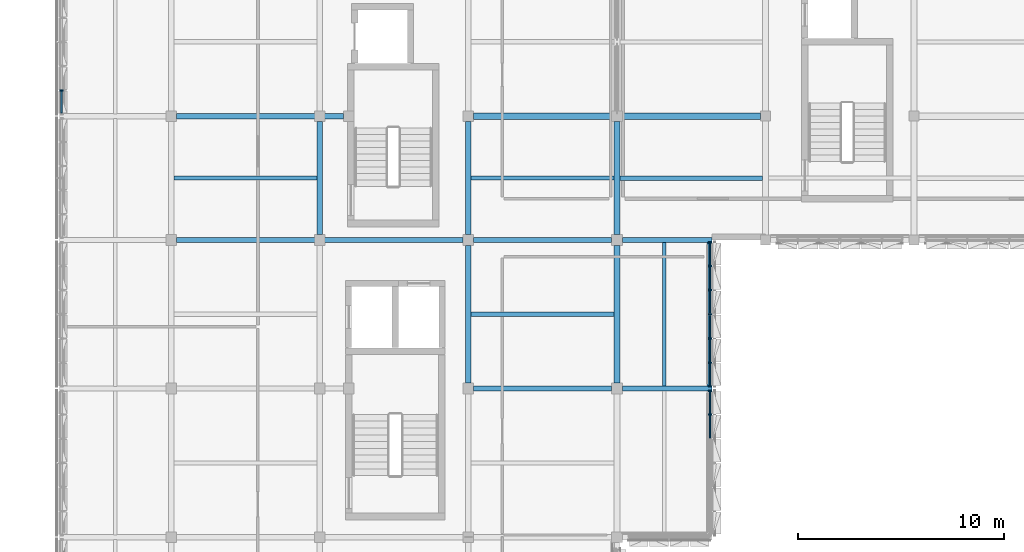
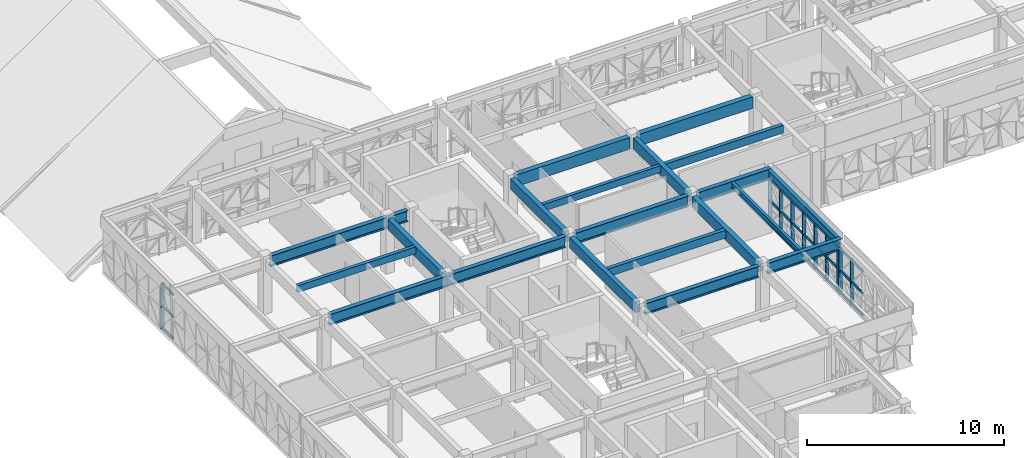
# One storey, part 7 of 48: 37 members, 19 beams, 3 elements without a shape of their own.
"""IFC4 building model written with IfcOpenShell, lengths in metres."""

import ifcopenshell
import ifcopenshell.guid

model = None  # the IFC model being written
_history = None  # IfcOwnerHistory: only IFC2X3 demands one
_inside = {}  # id of a spatial element -> (the spatial element, [elements in it])
_under = {}  # id of a project, library or spatial element -> (it, [spatial elements below it])
_declared = {}  # id of a project -> (the project, [libraries it declares])
_typed = {}  # id of a type object -> (the type object, [elements of that type])
_made_of = {}  # id of a material, layer set ... -> (it, [elements and type objects made of it])


def new_model(schema):
    """Start an empty IFC model of exactly this schema.

    Asked for "IFC4X3", IfcOpenShell would pick the latest addendum, in which some entities
    have other attributes; the version numbers below select the first issue.
    IFC2X3 requires an IfcOwnerHistory on every rooted entity: one is made here for all.
    """
    global model, _history
    if schema == "IFC4X3":
        model = ifcopenshell.file(schema_version=(4, 3, 0, 0))
    else:
        model = ifcopenshell.file(schema=schema)
    _inside.clear()
    _under.clear()
    _declared.clear()
    _typed.clear()
    _made_of.clear()
    _history = None
    if model.schema == "IFC2X3":
        org = make("IfcOrganization", Name="unknown")
        user = make(
            "IfcPersonAndOrganization",
            ThePerson=make("IfcPerson", FamilyName="unknown"),
            TheOrganization=org,
        )
        app = make(
            "IfcApplication",
            ApplicationDeveloper=org,
            Version="unknown",
            ApplicationFullName="unknown",
            ApplicationIdentifier="unknown",
        )
        _history = make(
            "IfcOwnerHistory",
            OwningUser=user,
            OwningApplication=app,
            ChangeAction="ADDED",
            CreationDate=0,
        )
    return model


def make(cls, **values):
    """One entity of the class cls with the attributes given. An attribute that is None is left unset."""
    return model.create_entity(
        cls, **{name: value for name, value in values.items() if value is not None}
    )


def rooted(cls, **values):
    """An entity with a GlobalId (a new one), such as an element, a storey or a relation."""
    return make(cls, GlobalId=ifcopenshell.guid.new(), OwnerHistory=_history, **values)


def si_unit(unit_type, name, prefix=None):
    """IfcSIUnit, for example si_unit("LENGTHUNIT", "METRE", prefix="MILLI")."""
    return make("IfcSIUnit", UnitType=unit_type, Prefix=prefix, Name=name)


def assignment(units):
    """IfcUnitAssignment: the units of a project."""
    return None if units is None else make("IfcUnitAssignment", Units=units)


def point(xyz):
    """IfcCartesianPoint."""
    return None if xyz is None else make("IfcCartesianPoint", Coordinates=xyz)


def direction(xyz):
    """IfcDirection."""
    return None if xyz is None else make("IfcDirection", DirectionRatios=xyz)


def frame(location, z_axis=None, x_axis=None):
    """IfcAxis2Placement3D, a coordinate frame: its origin and axes. An axis left out is left unset."""
    return make(
        "IfcAxis2Placement3D",
        Location=point(location),
        Axis=direction(z_axis),
        RefDirection=direction(x_axis),
    )


def frame_2d(location, x_axis=None):
    """IfcAxis2Placement2D, a coordinate frame in the plane: its origin and x axis."""
    return make(
        "IfcAxis2Placement2D", Location=point(location), RefDirection=direction(x_axis)
    )


def origin():
    """The frame at (0, 0, 0) with its axes left unset."""
    return frame((0.0, 0.0, 0.0))


def origin_2d():
    """The frame at (0, 0) in the plane with its x axis left unset."""
    return frame_2d((0.0, 0.0))


def place(relative_to, where):
    """IfcLocalPlacement: puts the frame where relative to a parent placement (None: the world)."""
    return make(
        "IfcLocalPlacement", PlacementRelTo=relative_to, RelativePlacement=where
    )


def context(
    kind, dimensions, precision=None, world=None, true_north=None, identifier=None
):
    """IfcGeometricRepresentationContext, for example the 3D "Model" context."""
    return make(
        "IfcGeometricRepresentationContext",
        ContextIdentifier=identifier,
        ContextType=kind,
        CoordinateSpaceDimension=dimensions,
        Precision=precision,
        WorldCoordinateSystem=world,
        TrueNorth=true_north,
    )


def subcontext(parent, identifier, kind, view, scale=None):
    """IfcGeometricRepresentationSubContext, for example "Body" below "Model"."""
    return make(
        "IfcGeometricRepresentationSubContext",
        ContextIdentifier=identifier,
        ContextType=kind,
        ParentContext=parent,
        TargetScale=scale,
        TargetView=view,
    )


def project(units=None, contexts=None):
    """IfcProject with its units and contexts."""
    return rooted(
        "IfcProject",
        Name="project",
        RepresentationContexts=contexts,
        UnitsInContext=assignment(units),
    )


def spatial(cls, under=None, at=None, **own):
    """A site, building, storey or space (cls), placed at a placement, below another one or the project."""
    s = rooted(cls, ObjectPlacement=at, **own)
    if under is not None:
        _under.setdefault(under.id(), (under, []))[1].append(s)
    return s


def profile(cls, at=None, kind="AREA", **sizes):
    """A parametric profile (cls). Its sizes go by their IFC names, for example OverallWidth=200.0."""
    return make(cls, ProfileType=kind, Position=at, **sizes)


def rectangle(**sizes):
    """IfcRectangleProfileDef."""
    return profile("IfcRectangleProfileDef", **sizes)


def i_section(**sizes):
    """IfcIShapeProfileDef."""
    return profile("IfcIShapeProfileDef", **sizes)


def extrude(swept, where, along, depth):
    """IfcExtrudedAreaSolid: the profile swept, set in the frame where, extruded along a direction by depth."""
    return make(
        "IfcExtrudedAreaSolid",
        SweptArea=swept,
        Position=where,
        ExtrudedDirection=direction(along),
        Depth=depth,
    )


def shape(context_of_items, identifier, shape_type, items):
    """IfcShapeRepresentation: the items that make up one representation, for example the "Body"."""
    return make(
        "IfcShapeRepresentation",
        ContextOfItems=context_of_items,
        RepresentationIdentifier=identifier,
        RepresentationType=shape_type,
        Items=items,
    )


def material(Name=None, Category=None):
    """IfcMaterial."""
    return make("IfcMaterial", Name=Name, Category=Category)


def material_profile(
    of_material, cross_section, Name=None, Category=None, Priority=None
):
    """IfcMaterialProfile: a cross section and its material."""
    return make(
        "IfcMaterialProfile",
        Name=Name,
        Material=of_material,
        Profile=cross_section,
        Priority=Priority,
        Category=Category,
    )


def profile_set(profiles, Name=None, composite=None):
    """IfcMaterialProfileSet."""
    return make(
        "IfcMaterialProfileSet",
        Name=Name,
        MaterialProfiles=profiles,
        CompositeProfile=composite,
    )


def made_of(thing, what):
    """Note that an element or type object is made of a material, layer set ...; save() writes the relation."""
    if what is not None:
        _made_of.setdefault(what.id(), (what, []))[1].append(thing)
    return thing


def type_object(cls, material=None, **own):
    """A type object (cls), such as IfcWallType, which elements share."""
    return made_of(rooted(cls, **own), material)


def element(
    cls,
    number,
    at=None,
    inside=None,
    cuts=None,
    type_object=None,
    material=None,
    context=None,
    identifier="Body",
    shape_type=None,
    held_by="IfcProductDefinitionShape",
    body=None,
    shapes=None,
    **own,
):
    """One element of the class cls, such as IfcWall. Its Tag is "e" and its number.

    at: its placement. inside: the storey or other place that contains it. cuts: it is an
    opening in that element (IfcRelVoidsElement). A single representation is given by context,
    identifier, shape_type and body (its items); several are given by shapes. held_by: the class
    of the entity that holds the representations. save() writes the other relations.
    """
    e = rooted(cls, Tag="e%d" % number, ObjectPlacement=at, **own)
    if body is not None:
        shapes = [shape(context, identifier, shape_type, body)]
    if shapes is not None:
        e.Representation = make(held_by, Representations=shapes)
    if inside is not None:
        _inside.setdefault(inside.id(), (inside, []))[1].append(e)
    if cuts is not None:
        rooted(
            "IfcRelVoidsElement", RelatingBuildingElement=cuts, RelatedOpeningElement=e
        )
    if type_object is not None:
        _typed.setdefault(type_object.id(), (type_object, []))[1].append(e)
    return made_of(e, material)


def aggregate(whole, parts):
    """IfcRelAggregates: a whole, such as a stair, and the parts it consists of."""
    return rooted("IfcRelAggregates", RelatingObject=whole, RelatedObjects=parts)


def save(model, path):
    """Write the relations noted so far, then the file.

    IfcRelAggregates (storeys below a building ...), IfcRelContainedInSpatialStructure (elements
    in a storey), IfcRelDefinesByType, IfcRelAssociatesMaterial and IfcRelDeclares: one each for
    every whole, place, type object, material and project.
    """
    for whole, parts in _under.values():
        aggregate(whole, parts)
    for where, things in _inside.values():
        rooted(
            "IfcRelContainedInSpatialStructure",
            RelatedElements=things,
            RelatingStructure=where,
        )
    for kind, things in _typed.values():
        rooted("IfcRelDefinesByType", RelatedObjects=things, RelatingType=kind)
    for what, things in _made_of.values():
        rooted("IfcRelAssociatesMaterial", RelatedObjects=things, RelatingMaterial=what)
    for by, libraries in _declared.values():
        rooted("IfcRelDeclares", RelatingContext=by, RelatedDefinitions=libraries)
    model.write(path)


model = new_model("IFC4")

# Units and contexts
model_context = context("Model", 3, precision=1e-05, world=origin(), true_north=direction((0.0, 1.0)))
body_context = subcontext(model_context, "Body", "Model", "MODEL_VIEW")
ifc_project = project(units=[si_unit("LENGTHUNIT", "METRE"), si_unit("AREAUNIT", "SQUARE_METRE"), si_unit("VOLUMEUNIT", "CUBIC_METRE"), si_unit("PLANEANGLEUNIT", "RADIAN"), si_unit("MASSUNIT", "GRAM", prefix="KILO")], contexts=[model_context])

# Site, building, storey
site_placement = place(None, origin())
site = spatial("IfcSite", under=ifc_project, at=site_placement, CompositionType="ELEMENT")
building_placement = place(site_placement, origin())
building = spatial("IfcBuilding", under=site, at=building_placement, Name="Alvorim Cloister Faculty of Sciences", CompositionType="ELEMENT")
storey_placement = place(building_placement, frame((0.0, 0.0, 19.35009765625)))
storey = spatial("IfcBuildingStorey", under=building, at=storey_placement, Name="L05", CompositionType="ELEMENT", Elevation=19.35009765625)

# Beams
ifc_material_1 = material(Name="Glulam GL28h", Category="wood")
ifc_material_profile_1 = material_profile(ifc_material_1, rectangle(XDim=0.280029296875, YDim=0.659912109375, at=origin_2d()), Name="GL28-BM-280x660")
ifc_profile_set_1 = profile_set([ifc_material_profile_1], Name="Glulam GL28h")
beam_type_1 = type_object("IfcBeamType", Name="BM-GL-280x660", PredefinedType="BEAM", material=ifc_profile_set_1)
beam_1_placement = place(storey_placement, frame((14.39990234375, 43.4599609375, 3.059814453125), z_axis=(0.0, 1.0, 0.0), x_axis=(-1.0, 0.0, 0.0)))
element("IfcBeam", 1, at=beam_1_placement, inside=storey, type_object=beam_type_1, Name="L05 Primary Girder BM-1992", PredefinedType="BEAM", context=body_context, shape_type="SweptSolid", body=[
    extrude(rectangle(XDim=0.280029296875, YDim=0.659912109375, at=origin_2d()), origin(), (0.0, 0.0, 1.0), 5.47998046875),
])
beam_2_placement = place(storey_placement, frame((21.60009765625, 36.260009765625, 3.059814453125), z_axis=(0.0, 1.0, 0.0), x_axis=(-1.0, 0.0, 0.0)))
element("IfcBeam", 2, at=beam_2_placement, inside=storey, type_object=beam_type_1, Name="L05 Primary Girder BM-1998", PredefinedType="BEAM", context=body_context, shape_type="SweptSolid", body=[
    extrude(rectangle(XDim=0.280029296875, YDim=0.659912109375, at=origin_2d()), origin(), (0.0, 0.0, 1.0), 6.679931640625),
])
beam_3_placement = place(storey_placement, frame((21.60009765625, 43.4599609375, 3.059814453125), z_axis=(0.0, 1.0, 0.0), x_axis=(-1.0, 0.0, 0.0)))
element("IfcBeam", 3, at=beam_3_placement, inside=storey, type_object=beam_type_1, Name="L05 Primary Girder BM-1999", PredefinedType="BEAM", context=body_context, shape_type="SweptSolid", body=[
    extrude(rectangle(XDim=0.280029296875, YDim=0.659912109375, at=origin_2d()), origin(), (0.0, 0.0, 1.0), 5.47998046875),
])
beam_4_placement = place(storey_placement, frame((28.800048828125, 36.260009765625, 3.059814453125), z_axis=(0.0, 1.0, 0.0), x_axis=(-1.0, 0.0, 0.0)))
element("IfcBeam", 4, at=beam_4_placement, inside=storey, type_object=beam_type_1, Name="L05 Primary Girder BM-2005", PredefinedType="BEAM", context=body_context, shape_type="SweptSolid", body=[
    extrude(rectangle(XDim=0.280029296875, YDim=0.659912109375, at=origin_2d()), origin(), (0.0, 0.0, 1.0), 6.679931640625),
])
beam_5_placement = place(storey_placement, frame((28.800048828125, 43.4599609375, 3.059814453125), z_axis=(0.0, 1.0, 0.0), x_axis=(-1.0, 0.0, 0.0)))
element("IfcBeam", 5, at=beam_5_placement, inside=storey, type_object=beam_type_1, Name="L05 Primary Girder BM-2006", PredefinedType="BEAM", context=body_context, shape_type="SweptSolid", body=[
    extrude(rectangle(XDim=0.280029296875, YDim=0.659912109375, at=origin_2d()), origin(), (0.0, 0.0, 1.0), 5.47998046875),
])
ifc_material_2 = material(Name="Glulam GL32h", Category="wood")
ifc_material_profile_2 = material_profile(ifc_material_2, rectangle(XDim=0.300048828125, YDim=0.719970703125, at=origin_2d()), Name="GL32-BM-300x720")
ifc_profile_set_2 = profile_set([ifc_material_profile_2], Name="Glulam GL32h")
beam_type_2 = type_object("IfcBeamType", Name="BM-GL-300x720", PredefinedType="BEAM", material=ifc_profile_set_2)
beam_6_placement = place(storey_placement, frame((21.860107421875, 49.199951171875, 3.02978515625), z_axis=(1.0, 0.0, 0.0), x_axis=(0.0, 1.0, 0.0)))
element("IfcBeam", 6, at=beam_6_placement, inside=storey, type_object=beam_type_2, Name="L05 Primary Beam BM-1971", PredefinedType="BEAM", context=body_context, shape_type="SweptSolid", body=[
    extrude(rectangle(XDim=0.300048828125, YDim=0.719970703125, at=origin_2d()), origin(), (0.0, 0.0, 1.0), 6.679931640625),
])
beam_7_placement = place(storey_placement, frame((29.06005859375, 49.199951171875, 3.02978515625), z_axis=(1.0, 0.0, 0.0), x_axis=(0.0, 1.0, 0.0)))
element("IfcBeam", 7, at=beam_7_placement, inside=storey, type_object=beam_type_2, Name="L05 Primary Beam BM-1972", PredefinedType="BEAM", context=body_context, shape_type="SweptSolid", body=[
    extrude(rectangle(XDim=0.300048828125, YDim=0.719970703125, at=origin_2d()), origin(), (0.0, 0.0, 1.0), 6.699951171875),
])
ifc_material_profile_3 = material_profile(ifc_material_1, rectangle(XDim=0.199951171875, YDim=0.419921875, at=origin_2d()), Name="GL28-JST-200x420")
ifc_profile_set_3 = profile_set([ifc_material_profile_3], Name="Glulam GL28h")
beam_type_3 = type_object("IfcBeamType", Name="BM-JST-GL-200x420", PredefinedType="JOIST", material=ifc_profile_set_3)
for number, where, z_axis, x_axis, name in (
    (8, (7.340087890625, 46.199951171875, 3.179931640625), (1.0, 0.0, 0.0), (0.0, 1.0, 0.0), "L05 Secondary Floor Joist BM-2021"),
    (9, (21.739990234375, 46.199951171875, 3.179931640625), (1.0, 0.0, 0.0), (0.0, 1.0, 0.0), "L05 Secondary Floor Joist BM-2029"),
):
    element("IfcBeam", number, at=place(storey_placement, frame(where, z_axis=z_axis, x_axis=x_axis)), inside=storey, type_object=beam_type_3, Name=name, PredefinedType="JOIST", context=body_context, shape_type="SweptSolid", body=[
        extrude(rectangle(XDim=0.199951171875, YDim=0.419921875, at=origin_2d()), origin(), (0.0, 0.0, 1.0), 6.919921875),
    ])
ifc_material_profile_4 = material_profile(ifc_material_1, rectangle(XDim=0.219970703125, YDim=0.47998046875, at=origin_2d()), Name="GL28-JST-220x480")
ifc_profile_set_4 = profile_set([ifc_material_profile_4], Name="Glulam GL28h")
beam_type_4 = type_object("IfcBeamType", Name="BM-JST-GL-220x480", PredefinedType="JOIST", material=ifc_profile_set_4)
beam_8_placement = place(storey_placement, frame((21.739990234375, 39.60009765625, 3.14990234375), z_axis=(1.0, 0.0, 0.0), x_axis=(0.0, 1.0, 0.0)))
element("IfcBeam", 10, at=beam_8_placement, inside=storey, type_object=beam_type_4, Name="L05 Secondary Floor Joist BM-2028", PredefinedType="JOIST", context=body_context, shape_type="SweptSolid", body=[
    extrude(rectangle(XDim=0.219970703125, YDim=0.47998046875, at=origin_2d()), origin(), (0.0, 0.0, 1.0), 6.919921875),
])
beam_9_placement = place(storey_placement, frame((28.93994140625, 46.199951171875, 3.14990234375), z_axis=(1.0, 0.0, 0.0), x_axis=(0.0, 1.0, 0.0)))
element("IfcBeam", 11, at=beam_9_placement, inside=storey, type_object=beam_type_4, Name="L05 Secondary Floor Joist BM-2031", PredefinedType="JOIST", context=body_context, shape_type="SweptSolid", body=[
    extrude(rectangle(XDim=0.219970703125, YDim=0.47998046875, at=origin_2d()), origin(), (0.0, 0.0, 1.0), 6.920166015625),
])
ifc_material_3 = material(Name="Steel ASTM A572 Grade 50", Category="steel")
ifc_material_profile_5 = material_profile(ifc_material_3, i_section(OverallWidth=0.1708984375, OverallDepth=0.35498046875, WebThickness=0.007080078125, FlangeThickness=0.01171875, FilletRadius=0.012939453125, at=origin_2d()), Name="W360x51.0")
ifc_profile_set_5 = profile_set([ifc_material_profile_5], Name="Steel ASTM A572 Grade 50")
beam_type_5 = type_object("IfcBeamType", Name="BM-STL-W360", PredefinedType="JOIST", material=ifc_profile_set_5)
beam_10_placement = place(storey_placement, frame((31.10009765625, 36.110107421875, 3.21240234375), z_axis=(0.0, 1.0, 0.0), x_axis=(-1.0, 0.0, 0.0)))
element("IfcBeam", 12, at=beam_10_placement, inside=storey, type_object=beam_type_5, Name="L05 Cantilever Deck Joist BM-0150", PredefinedType="JOIST", context=body_context, shape_type="SweptSolid", body=[
    extrude(i_section(OverallWidth=0.1708984375, OverallDepth=0.35498046875, WebThickness=0.007080078125, FlangeThickness=0.01171875, FilletRadius=0.012939453125, at=origin_2d()), origin(), (0.0, 0.0, 1.0), 6.97998046875),
])
ifc_material_profile_6 = material_profile(ifc_material_3, i_section(OverallWidth=0.208984375, OverallDepth=0.532958984375, WebThickness=0.01025390625, FlangeThickness=0.015625, FilletRadius=0.01611328125, at=origin_2d()), Name="W530x92.0")
ifc_profile_set_6 = profile_set([ifc_material_profile_6], Name="Steel ASTM A572 Grade 50")
beam_type_6 = type_object("IfcBeamType", Name="BM-STL-W530", PredefinedType="BEAM", material=ifc_profile_set_6)
beam_11_placement = place(storey_placement, frame((33.280029296875, 36.110107421875, 3.123291015625), z_axis=(0.0, 1.0, 0.0), x_axis=(-1.0, 0.0, 0.0)))
element("IfcBeam", 13, at=beam_11_placement, inside=storey, type_object=beam_type_6, Name="L05 Cantilever Tip Header Girder BM-0149", PredefinedType="BEAM", context=body_context, shape_type="SweptSolid", body=[
    extrude(i_section(OverallWidth=0.208984375, OverallDepth=0.532958984375, WebThickness=0.01025390625, FlangeThickness=0.015625, FilletRadius=0.01611328125, at=origin_2d()), origin(), (0.0, 0.0, 1.0), 6.97998046875),
])
ifc_material_profile_7 = material_profile(ifc_material_3, i_section(OverallWidth=0.25390625, OverallDepth=0.68408203125, WebThickness=0.012451171875, FlangeThickness=0.01904296875, FilletRadius=0.01904296875, at=origin_2d()), Name="W690x140.0")
ifc_profile_set_7 = profile_set([ifc_material_profile_7], Name="Steel ASTM A572 Grade 50")
beam_type_7 = type_object("IfcBeamType", Name="BM-STL-W690", PredefinedType="BEAM", material=ifc_profile_set_7)
beam_12_placement = place(storey_placement, frame((7.4599609375, 43.199951171875, 3.0478515625), z_axis=(1.0, 0.0, 0.0), x_axis=(0.0, 1.0, 0.0)))
element("IfcBeam", 14, at=beam_12_placement, inside=storey, type_object=beam_type_7, Name="L05 Cantilever Backspan Girder BM-0111", PredefinedType="BEAM", context=body_context, shape_type="SweptSolid", body=[
    extrude(i_section(OverallWidth=0.25390625, OverallDepth=0.68408203125, WebThickness=0.012451171875, FlangeThickness=0.01904296875, FilletRadius=0.01904296875, at=origin_2d()), origin(), (0.0, 0.0, 1.0), 13.880126953125),
])
beam_13_placement = place(storey_placement, frame((7.4599609375, 49.199951171875, 3.0478515625), z_axis=(1.0, 0.0, 0.0), x_axis=(0.0, 1.0, 0.0)))
element("IfcBeam", 15, at=beam_13_placement, inside=storey, type_object=beam_type_7, Name="L05 Cantilever Backspan Girder BM-0113", PredefinedType="BEAM", context=body_context, shape_type="SweptSolid", body=[
    extrude(i_section(OverallWidth=0.25390625, OverallDepth=0.68408203125, WebThickness=0.012451171875, FlangeThickness=0.01904296875, FilletRadius=0.01904296875, at=origin_2d()), origin(), (0.0, 0.0, 1.0), 8.080078125),
])
beam_14_placement = place(storey_placement, frame((21.860107421875, 36.0, 3.0478515625), z_axis=(1.0, 0.0, 0.0), x_axis=(0.0, 1.0, 0.0)))
element("IfcBeam", 16, at=beam_14_placement, inside=storey, type_object=beam_type_7, Name="L05 Cantilever Backspan Girder BM-0143", PredefinedType="BEAM", context=body_context, shape_type="SweptSolid", body=[
    extrude(i_section(OverallWidth=0.25390625, OverallDepth=0.68408203125, WebThickness=0.012451171875, FlangeThickness=0.01904296875, FilletRadius=0.01904296875, at=origin_2d()), origin(), (0.0, 0.0, 1.0), 6.679931640625),
])
beam_15_placement = place(storey_placement, frame((29.06005859375, 36.0, 3.0478515625), z_axis=(1.0, 0.0, 0.0), x_axis=(0.0, 1.0, 0.0)))
element("IfcBeam", 17, at=beam_15_placement, inside=storey, type_object=beam_type_7, Name="L05 Cantilever Overhang Girder BM-0144", PredefinedType="BEAM", context=body_context, shape_type="SweptSolid", body=[
    extrude(i_section(OverallWidth=0.25390625, OverallDepth=0.68408203125, WebThickness=0.012451171875, FlangeThickness=0.01904296875, FilletRadius=0.01904296875, at=origin_2d()), origin(), (0.0, 0.0, 1.0), 4.33984375),
])
beam_16_placement = place(storey_placement, frame((21.860107421875, 43.199951171875, 3.0478515625), z_axis=(1.0, 0.0, 0.0), x_axis=(0.0, 1.0, 0.0)))
element("IfcBeam", 18, at=beam_16_placement, inside=storey, type_object=beam_type_7, Name="L05 Cantilever Backspan Girder BM-0145", PredefinedType="BEAM", context=body_context, shape_type="SweptSolid", body=[
    extrude(i_section(OverallWidth=0.25390625, OverallDepth=0.68408203125, WebThickness=0.012451171875, FlangeThickness=0.01904296875, FilletRadius=0.01904296875, at=origin_2d()), origin(), (0.0, 0.0, 1.0), 6.679931640625),
])
beam_17_placement = place(storey_placement, frame((29.06005859375, 43.199951171875, 3.0478515625), z_axis=(1.0, 0.0, 0.0), x_axis=(0.0, 1.0, 0.0)))
element("IfcBeam", 19, at=beam_17_placement, inside=storey, type_object=beam_type_7, Name="L05 Cantilever Overhang Girder BM-0146", PredefinedType="BEAM", context=body_context, shape_type="SweptSolid", body=[
    extrude(i_section(OverallWidth=0.25390625, OverallDepth=0.68408203125, WebThickness=0.012451171875, FlangeThickness=0.01904296875, FilletRadius=0.01904296875, at=origin_2d()), origin(), (0.0, 0.0, 1.0), 4.33984375),
])

# Curtain wall, member
ifc_material_4 = material(Name="Aluminium and Low-E Glass Curtain Wall", Category="aluminium")
curtain_wall_type = type_object("IfcCurtainWallType", Name="CW-TRI-7040x2857", PredefinedType="USERDEFINED", material=ifc_material_4)
curtain_wall_1_placement = place(storey_placement, origin())
curtain_wall_1 = element("IfcCurtainWall", 20, at=curtain_wall_1_placement, inside=storey, type_object=curtain_wall_type, Name="L05 Diagonal Cassette Curtain Wall CW-0218", ObjectType="UNITISED CURTAIN WALL", PredefinedType="USERDEFINED")
ifc_material_5 = material(Name="Aluminium Alloy 6063-T6", Category="aluminium")
ifc_material_profile_8 = material_profile(ifc_material_5, rectangle(XDim=0.06494140625, YDim=0.179931640625, at=origin_2d()), Name="ALU-MUL-65x180")
ifc_profile_set_8 = profile_set([ifc_material_profile_8], Name="Aluminium Alloy 6063-T6")
member_type_1 = type_object("IfcMemberType", Name="CW-MUL-65x180", PredefinedType="MULLION", material=ifc_profile_set_8)
member_1_placement = place(storey_placement, frame((1.889892578125, 50.453369140625, 0.0), z_axis=(0.0, 0.0, 1.0), x_axis=(0.0, 1.0, 0.0)))
member_1 = element("IfcMember", 21, at=member_1_placement, type_object=member_type_1, Name="CW-0218 Mullion 2", PredefinedType="MULLION", context=body_context, shape_type="SweptSolid", body=[
    extrude(rectangle(XDim=0.06494140625, YDim=0.179931640625, at=origin_2d()), origin(), (0.0, 0.0, 1.0), 2.85693359375),
])

# Curtain wall, members
curtain_wall_2_placement = place(storey_placement, origin())
curtain_wall_2 = element("IfcCurtainWall", 22, at=curtain_wall_2_placement, inside=storey, type_object=curtain_wall_type, Name="L05 Diagonal Cassette Curtain Wall CW-0232", ObjectType="UNITISED CURTAIN WALL", PredefinedType="USERDEFINED")
member_2_placement = place(storey_placement, frame((33.31005859375, 36.112548828125, 0.0), z_axis=(0.0, 0.0, 1.0), x_axis=(0.0, 1.0, 0.0)))
member_2 = element("IfcMember", 23, at=member_2_placement, type_object=member_type_1, Name="CW-0232 Mullion 1", PredefinedType="MULLION", context=body_context, shape_type="SweptSolid", body=[
    extrude(rectangle(XDim=0.06494140625, YDim=0.179931640625, at=origin_2d()), origin(), (0.0, 0.0, 1.0), 2.85693359375),
])
member_3_placement = place(storey_placement, frame((33.31005859375, 37.25341796875, 0.0), z_axis=(0.0, 0.0, 1.0), x_axis=(0.0, 1.0, 0.0)))
member_3 = element("IfcMember", 24, at=member_3_placement, type_object=member_type_1, Name="CW-0232 Mullion 2", PredefinedType="MULLION", context=body_context, shape_type="SweptSolid", body=[
    extrude(rectangle(XDim=0.06494140625, YDim=0.179931640625, at=origin_2d()), origin(), (0.0, 0.0, 1.0), 2.85693359375),
])
member_4_placement = place(storey_placement, frame((33.31005859375, 38.4267578125, 0.0), z_axis=(0.0, 0.0, 1.0), x_axis=(0.0, 1.0, 0.0)))
member_4 = element("IfcMember", 25, at=member_4_placement, type_object=member_type_1, Name="CW-0232 Mullion 3", PredefinedType="MULLION", context=body_context, shape_type="SweptSolid", body=[
    extrude(rectangle(XDim=0.06494140625, YDim=0.179931640625, at=origin_2d()), origin(), (0.0, 0.0, 1.0), 2.85693359375),
])
member_5_placement = place(storey_placement, frame((33.31005859375, 39.60009765625, 0.0), z_axis=(0.0, 0.0, 1.0), x_axis=(0.0, 1.0, 0.0)))
member_5 = element("IfcMember", 26, at=member_5_placement, type_object=member_type_1, Name="CW-0232 Mullion 4", PredefinedType="MULLION", context=body_context, shape_type="SweptSolid", body=[
    extrude(rectangle(XDim=0.06494140625, YDim=0.179931640625, at=origin_2d()), origin(), (0.0, 0.0, 1.0), 2.85693359375),
])
member_6_placement = place(storey_placement, frame((33.31005859375, 40.773193359375, 0.0), z_axis=(0.0, 0.0, 1.0), x_axis=(0.0, 1.0, 0.0)))
member_6 = element("IfcMember", 27, at=member_6_placement, type_object=member_type_1, Name="CW-0232 Mullion 5", PredefinedType="MULLION", context=body_context, shape_type="SweptSolid", body=[
    extrude(rectangle(XDim=0.06494140625, YDim=0.179931640625, at=origin_2d()), origin(), (0.0, 0.0, 1.0), 2.85693359375),
])
member_7_placement = place(storey_placement, frame((33.31005859375, 41.94677734375, 0.0), z_axis=(0.0, 0.0, 1.0), x_axis=(0.0, 1.0, 0.0)))
member_7 = element("IfcMember", 28, at=member_7_placement, type_object=member_type_1, Name="CW-0232 Mullion 6", PredefinedType="MULLION", context=body_context, shape_type="SweptSolid", body=[
    extrude(rectangle(XDim=0.06494140625, YDim=0.179931640625, at=origin_2d()), origin(), (0.0, 0.0, 1.0), 2.85693359375),
])
member_8_placement = place(storey_placement, frame((33.31005859375, 43.08740234375, 0.0), z_axis=(0.0, 0.0, 1.0), x_axis=(0.0, 1.0, 0.0)))
member_8 = element("IfcMember", 29, at=member_8_placement, type_object=member_type_1, Name="CW-0232 Mullion 7", PredefinedType="MULLION", context=body_context, shape_type="SweptSolid", body=[
    extrude(rectangle(XDim=0.06494140625, YDim=0.179931640625, at=origin_2d()), origin(), (0.0, 0.0, 1.0), 2.85693359375),
])

curtain_wall_3_placement = place(storey_placement, origin())
curtain_wall_3 = element("IfcCurtainWall", 30, at=curtain_wall_3_placement, inside=storey, type_object=curtain_wall_type, Name="L05 Diagonal Cassette Curtain Wall CW-0233", ObjectType="UNITISED CURTAIN WALL", PredefinedType="USERDEFINED")
member_9_placement = place(storey_placement, frame((33.31005859375, 34.74658203125, 0.0), z_axis=(0.0, 0.0, 1.0), x_axis=(0.0, 1.0, 0.0)))
member_9 = element("IfcMember", 31, at=member_9_placement, type_object=member_type_1, Name="CW-0233 Mullion 6", PredefinedType="MULLION", context=body_context, shape_type="SweptSolid", body=[
    extrude(rectangle(XDim=0.06494140625, YDim=0.179931640625, at=origin_2d()), origin(), (0.0, 0.0, 1.0), 2.85693359375),
])
member_10_placement = place(storey_placement, frame((33.31005859375, 35.887451171875, 0.0), z_axis=(0.0, 0.0, 1.0), x_axis=(0.0, 1.0, 0.0)))
member_10 = element("IfcMember", 32, at=member_10_placement, type_object=member_type_1, Name="CW-0233 Mullion 7", PredefinedType="MULLION", context=body_context, shape_type="SweptSolid", body=[
    extrude(rectangle(XDim=0.06494140625, YDim=0.179931640625, at=origin_2d()), origin(), (0.0, 0.0, 1.0), 2.85693359375),
])

# Member
ifc_material_profile_9 = material_profile(ifc_material_5, rectangle(XDim=0.06494140625, YDim=0.139892578125, at=origin_2d()), Name="ALU-TRN-65x140")
ifc_profile_set_9 = profile_set([ifc_material_profile_9], Name="Aluminium Alloy 6063-T6")
member_type_2 = type_object("IfcMemberType", Name="CW-TRN-65x140", PredefinedType="USERDEFINED", material=ifc_profile_set_9)
member_11_placement = place(storey_placement, frame((1.889892578125, 49.344970703125, 0.06982421875), z_axis=(0.0, 1.0, 0.0), x_axis=(-1.0, 0.0, 0.0)))
member_11 = element("IfcMember", 33, at=member_11_placement, type_object=member_type_2, Name="CW-0218 Transom 1.1", ObjectType="TRANSOM", PredefinedType="USERDEFINED", context=body_context, shape_type="SweptSolid", body=[
    extrude(rectangle(XDim=0.06494140625, YDim=0.139892578125, at=origin_2d()), origin(), (0.0, 0.0, 1.0), 1.075927734375),
])

member_12_placement = place(storey_placement, frame((1.889892578125, 49.344970703125, 1.428466796875), z_axis=(0.0, 1.0, 0.0), x_axis=(-1.0, 0.0, 0.0)))
member_12 = element("IfcMember", 34, at=member_12_placement, type_object=member_type_2, Name="CW-0218 Transom 1.2", ObjectType="TRANSOM", PredefinedType="USERDEFINED", context=body_context, shape_type="SweptSolid", body=[
    extrude(rectangle(XDim=0.06494140625, YDim=0.139892578125, at=origin_2d()), origin(), (0.0, 0.0, 1.0), 1.075927734375),
])

member_13_placement = place(storey_placement, frame((1.889892578125, 49.344970703125, 2.786865234375), z_axis=(0.0, 1.0, 0.0), x_axis=(-1.0, 0.0, 0.0)))
member_13 = element("IfcMember", 35, at=member_13_placement, type_object=member_type_2, Name="CW-0218 Transom 1.3", ObjectType="TRANSOM", PredefinedType="USERDEFINED", context=body_context, shape_type="SweptSolid", body=[
    extrude(rectangle(XDim=0.06494140625, YDim=0.139892578125, at=origin_2d()), origin(), (0.0, 0.0, 1.0), 1.075927734375),
])

aggregate(curtain_wall_1, [member_1, member_11, member_12, member_13])

member_14_placement = place(storey_placement, frame((33.31005859375, 36.14501953125, 0.06982421875), z_axis=(0.0, 1.0, 0.0), x_axis=(-1.0, 0.0, 0.0)))
member_14 = element("IfcMember", 36, at=member_14_placement, type_object=member_type_2, Name="CW-0232 Transom 1.1", ObjectType="TRANSOM", PredefinedType="USERDEFINED", context=body_context, shape_type="SweptSolid", body=[
    extrude(rectangle(XDim=0.06494140625, YDim=0.139892578125, at=origin_2d()), origin(), (0.0, 0.0, 1.0), 1.075927734375),
])

member_15_placement = place(storey_placement, frame((33.31005859375, 36.14501953125, 1.428466796875), z_axis=(0.0, 1.0, 0.0), x_axis=(-1.0, 0.0, 0.0)))
member_15 = element("IfcMember", 37, at=member_15_placement, type_object=member_type_2, Name="CW-0232 Transom 1.2", ObjectType="TRANSOM", PredefinedType="USERDEFINED", context=body_context, shape_type="SweptSolid", body=[
    extrude(rectangle(XDim=0.06494140625, YDim=0.139892578125, at=origin_2d()), origin(), (0.0, 0.0, 1.0), 1.075927734375),
])

member_16_placement = place(storey_placement, frame((33.31005859375, 36.14501953125, 2.786865234375), z_axis=(0.0, 1.0, 0.0), x_axis=(-1.0, 0.0, 0.0)))
member_16 = element("IfcMember", 38, at=member_16_placement, type_object=member_type_2, Name="CW-0232 Transom 1.3", ObjectType="TRANSOM", PredefinedType="USERDEFINED", context=body_context, shape_type="SweptSolid", body=[
    extrude(rectangle(XDim=0.06494140625, YDim=0.139892578125, at=origin_2d()), origin(), (0.0, 0.0, 1.0), 1.075927734375),
])

member_17_placement = place(storey_placement, frame((33.31005859375, 37.285888671875, 0.06982421875), z_axis=(0.0, 1.0, 0.0), x_axis=(-1.0, 0.0, 0.0)))
member_17 = element("IfcMember", 39, at=member_17_placement, type_object=member_type_2, Name="CW-0232 Transom 2.1", ObjectType="TRANSOM", PredefinedType="USERDEFINED", context=body_context, shape_type="SweptSolid", body=[
    extrude(rectangle(XDim=0.06494140625, YDim=0.139892578125, at=origin_2d()), origin(), (0.0, 0.0, 1.0), 1.1083984375),
])

member_18_placement = place(storey_placement, frame((33.31005859375, 37.285888671875, 1.428466796875), z_axis=(0.0, 1.0, 0.0), x_axis=(-1.0, 0.0, 0.0)))
member_18 = element("IfcMember", 40, at=member_18_placement, type_object=member_type_2, Name="CW-0232 Transom 2.2", ObjectType="TRANSOM", PredefinedType="USERDEFINED", context=body_context, shape_type="SweptSolid", body=[
    extrude(rectangle(XDim=0.06494140625, YDim=0.139892578125, at=origin_2d()), origin(), (0.0, 0.0, 1.0), 1.1083984375),
])

member_19_placement = place(storey_placement, frame((33.31005859375, 37.285888671875, 2.786865234375), z_axis=(0.0, 1.0, 0.0), x_axis=(-1.0, 0.0, 0.0)))
member_19 = element("IfcMember", 41, at=member_19_placement, type_object=member_type_2, Name="CW-0232 Transom 2.3", ObjectType="TRANSOM", PredefinedType="USERDEFINED", context=body_context, shape_type="SweptSolid", body=[
    extrude(rectangle(XDim=0.06494140625, YDim=0.139892578125, at=origin_2d()), origin(), (0.0, 0.0, 1.0), 1.1083984375),
])

member_20_placement = place(storey_placement, frame((33.31005859375, 38.459228515625, 0.06982421875), z_axis=(0.0, 1.0, 0.0), x_axis=(-1.0, 0.0, 0.0)))
member_20 = element("IfcMember", 42, at=member_20_placement, type_object=member_type_2, Name="CW-0232 Transom 3.1", ObjectType="TRANSOM", PredefinedType="USERDEFINED", context=body_context, shape_type="SweptSolid", body=[
    extrude(rectangle(XDim=0.06494140625, YDim=0.139892578125, at=origin_2d()), origin(), (0.0, 0.0, 1.0), 1.108154296875),
])

member_21_placement = place(storey_placement, frame((33.31005859375, 38.459228515625, 1.428466796875), z_axis=(0.0, 1.0, 0.0), x_axis=(-1.0, 0.0, 0.0)))
member_21 = element("IfcMember", 43, at=member_21_placement, type_object=member_type_2, Name="CW-0232 Transom 3.2", ObjectType="TRANSOM", PredefinedType="USERDEFINED", context=body_context, shape_type="SweptSolid", body=[
    extrude(rectangle(XDim=0.06494140625, YDim=0.139892578125, at=origin_2d()), origin(), (0.0, 0.0, 1.0), 1.108154296875),
])

member_22_placement = place(storey_placement, frame((33.31005859375, 38.459228515625, 2.786865234375), z_axis=(0.0, 1.0, 0.0), x_axis=(-1.0, 0.0, 0.0)))
member_22 = element("IfcMember", 44, at=member_22_placement, type_object=member_type_2, Name="CW-0232 Transom 3.3", ObjectType="TRANSOM", PredefinedType="USERDEFINED", context=body_context, shape_type="SweptSolid", body=[
    extrude(rectangle(XDim=0.06494140625, YDim=0.139892578125, at=origin_2d()), origin(), (0.0, 0.0, 1.0), 1.108154296875),
])

member_23_placement = place(storey_placement, frame((33.31005859375, 39.632568359375, 0.06982421875), z_axis=(0.0, 1.0, 0.0), x_axis=(-1.0, 0.0, 0.0)))
member_23 = element("IfcMember", 45, at=member_23_placement, type_object=member_type_2, Name="CW-0232 Transom 4.1", ObjectType="TRANSOM", PredefinedType="USERDEFINED", context=body_context, shape_type="SweptSolid", body=[
    extrude(rectangle(XDim=0.06494140625, YDim=0.139892578125, at=origin_2d()), origin(), (0.0, 0.0, 1.0), 1.108154296875),
])

member_24_placement = place(storey_placement, frame((33.31005859375, 39.632568359375, 1.428466796875), z_axis=(0.0, 1.0, 0.0), x_axis=(-1.0, 0.0, 0.0)))
member_24 = element("IfcMember", 46, at=member_24_placement, type_object=member_type_2, Name="CW-0232 Transom 4.2", ObjectType="TRANSOM", PredefinedType="USERDEFINED", context=body_context, shape_type="SweptSolid", body=[
    extrude(rectangle(XDim=0.06494140625, YDim=0.139892578125, at=origin_2d()), origin(), (0.0, 0.0, 1.0), 1.108154296875),
])

member_25_placement = place(storey_placement, frame((33.31005859375, 39.632568359375, 2.786865234375), z_axis=(0.0, 1.0, 0.0), x_axis=(-1.0, 0.0, 0.0)))
member_25 = element("IfcMember", 47, at=member_25_placement, type_object=member_type_2, Name="CW-0232 Transom 4.3", ObjectType="TRANSOM", PredefinedType="USERDEFINED", context=body_context, shape_type="SweptSolid", body=[
    extrude(rectangle(XDim=0.06494140625, YDim=0.139892578125, at=origin_2d()), origin(), (0.0, 0.0, 1.0), 1.108154296875),
])

member_26_placement = place(storey_placement, frame((33.31005859375, 40.805908203125, 0.06982421875), z_axis=(0.0, 1.0, 0.0), x_axis=(-1.0, 0.0, 0.0)))
member_26 = element("IfcMember", 48, at=member_26_placement, type_object=member_type_2, Name="CW-0232 Transom 5.1", ObjectType="TRANSOM", PredefinedType="USERDEFINED", context=body_context, shape_type="SweptSolid", body=[
    extrude(rectangle(XDim=0.06494140625, YDim=0.139892578125, at=origin_2d()), origin(), (0.0, 0.0, 1.0), 1.108154296875),
])

member_27_placement = place(storey_placement, frame((33.31005859375, 40.805908203125, 1.428466796875), z_axis=(0.0, 1.0, 0.0), x_axis=(-1.0, 0.0, 0.0)))
member_27 = element("IfcMember", 49, at=member_27_placement, type_object=member_type_2, Name="CW-0232 Transom 5.2", ObjectType="TRANSOM", PredefinedType="USERDEFINED", context=body_context, shape_type="SweptSolid", body=[
    extrude(rectangle(XDim=0.06494140625, YDim=0.139892578125, at=origin_2d()), origin(), (0.0, 0.0, 1.0), 1.108154296875),
])

member_28_placement = place(storey_placement, frame((33.31005859375, 40.805908203125, 2.786865234375), z_axis=(0.0, 1.0, 0.0), x_axis=(-1.0, 0.0, 0.0)))
member_28 = element("IfcMember", 50, at=member_28_placement, type_object=member_type_2, Name="CW-0232 Transom 5.3", ObjectType="TRANSOM", PredefinedType="USERDEFINED", context=body_context, shape_type="SweptSolid", body=[
    extrude(rectangle(XDim=0.06494140625, YDim=0.139892578125, at=origin_2d()), origin(), (0.0, 0.0, 1.0), 1.108154296875),
])

member_29_placement = place(storey_placement, frame((33.31005859375, 41.979248046875, 0.06982421875), z_axis=(0.0, 1.0, 0.0), x_axis=(-1.0, 0.0, 0.0)))
member_29 = element("IfcMember", 51, at=member_29_placement, type_object=member_type_2, Name="CW-0232 Transom 6.1", ObjectType="TRANSOM", PredefinedType="USERDEFINED", context=body_context, shape_type="SweptSolid", body=[
    extrude(rectangle(XDim=0.06494140625, YDim=0.139892578125, at=origin_2d()), origin(), (0.0, 0.0, 1.0), 1.07568359375),
])

member_30_placement = place(storey_placement, frame((33.31005859375, 41.979248046875, 1.428466796875), z_axis=(0.0, 1.0, 0.0), x_axis=(-1.0, 0.0, 0.0)))
member_30 = element("IfcMember", 52, at=member_30_placement, type_object=member_type_2, Name="CW-0232 Transom 6.2", ObjectType="TRANSOM", PredefinedType="USERDEFINED", context=body_context, shape_type="SweptSolid", body=[
    extrude(rectangle(XDim=0.06494140625, YDim=0.139892578125, at=origin_2d()), origin(), (0.0, 0.0, 1.0), 1.07568359375),
])

member_31_placement = place(storey_placement, frame((33.31005859375, 41.979248046875, 2.786865234375), z_axis=(0.0, 1.0, 0.0), x_axis=(-1.0, 0.0, 0.0)))
member_31 = element("IfcMember", 53, at=member_31_placement, type_object=member_type_2, Name="CW-0232 Transom 6.3", ObjectType="TRANSOM", PredefinedType="USERDEFINED", context=body_context, shape_type="SweptSolid", body=[
    extrude(rectangle(XDim=0.06494140625, YDim=0.139892578125, at=origin_2d()), origin(), (0.0, 0.0, 1.0), 1.07568359375),
])

aggregate(curtain_wall_2, [member_2, member_3, member_4, member_5, member_6, member_7, member_8, member_14, member_15, member_16, member_17, member_18, member_19, member_20, member_21, member_22, member_23, member_24, member_25, member_26, member_27, member_28, member_29, member_30, member_31])

member_32_placement = place(storey_placement, frame((33.31005859375, 33.605712890625, 0.06982421875), z_axis=(0.0, 1.0, 0.0), x_axis=(-1.0, 0.0, 0.0)))
member_32 = element("IfcMember", 54, at=member_32_placement, type_object=member_type_2, Name="CW-0233 Transom 5.1", ObjectType="TRANSOM", PredefinedType="USERDEFINED", context=body_context, shape_type="SweptSolid", body=[
    extrude(rectangle(XDim=0.06494140625, YDim=0.139892578125, at=origin_2d()), origin(), (0.0, 0.0, 1.0), 1.1083984375),
])

member_33_placement = place(storey_placement, frame((33.31005859375, 33.605712890625, 1.428466796875), z_axis=(0.0, 1.0, 0.0), x_axis=(-1.0, 0.0, 0.0)))
member_33 = element("IfcMember", 55, at=member_33_placement, type_object=member_type_2, Name="CW-0233 Transom 5.2", ObjectType="TRANSOM", PredefinedType="USERDEFINED", context=body_context, shape_type="SweptSolid", body=[
    extrude(rectangle(XDim=0.06494140625, YDim=0.139892578125, at=origin_2d()), origin(), (0.0, 0.0, 1.0), 1.1083984375),
])

member_34_placement = place(storey_placement, frame((33.31005859375, 33.605712890625, 2.786865234375), z_axis=(0.0, 1.0, 0.0), x_axis=(-1.0, 0.0, 0.0)))
member_34 = element("IfcMember", 56, at=member_34_placement, type_object=member_type_2, Name="CW-0233 Transom 5.3", ObjectType="TRANSOM", PredefinedType="USERDEFINED", context=body_context, shape_type="SweptSolid", body=[
    extrude(rectangle(XDim=0.06494140625, YDim=0.139892578125, at=origin_2d()), origin(), (0.0, 0.0, 1.0), 1.1083984375),
])

member_35_placement = place(storey_placement, frame((33.31005859375, 34.779052734375, 0.06982421875), z_axis=(0.0, 1.0, 0.0), x_axis=(-1.0, 0.0, 0.0)))
member_35 = element("IfcMember", 57, at=member_35_placement, type_object=member_type_2, Name="CW-0233 Transom 6.1", ObjectType="TRANSOM", PredefinedType="USERDEFINED", context=body_context, shape_type="SweptSolid", body=[
    extrude(rectangle(XDim=0.06494140625, YDim=0.139892578125, at=origin_2d()), origin(), (0.0, 0.0, 1.0), 1.075927734375),
])

member_36_placement = place(storey_placement, frame((33.31005859375, 34.779052734375, 1.428466796875), z_axis=(0.0, 1.0, 0.0), x_axis=(-1.0, 0.0, 0.0)))
member_36 = element("IfcMember", 58, at=member_36_placement, type_object=member_type_2, Name="CW-0233 Transom 6.2", ObjectType="TRANSOM", PredefinedType="USERDEFINED", context=body_context, shape_type="SweptSolid", body=[
    extrude(rectangle(XDim=0.06494140625, YDim=0.139892578125, at=origin_2d()), origin(), (0.0, 0.0, 1.0), 1.075927734375),
])

member_37_placement = place(storey_placement, frame((33.31005859375, 34.779052734375, 2.786865234375), z_axis=(0.0, 1.0, 0.0), x_axis=(-1.0, 0.0, 0.0)))
member_37 = element("IfcMember", 59, at=member_37_placement, type_object=member_type_2, Name="CW-0233 Transom 6.3", ObjectType="TRANSOM", PredefinedType="USERDEFINED", context=body_context, shape_type="SweptSolid", body=[
    extrude(rectangle(XDim=0.06494140625, YDim=0.139892578125, at=origin_2d()), origin(), (0.0, 0.0, 1.0), 1.075927734375),
])

aggregate(curtain_wall_3, [member_9, member_10, member_32, member_33, member_34, member_35, member_36, member_37])

save(model, "model.ifc")
